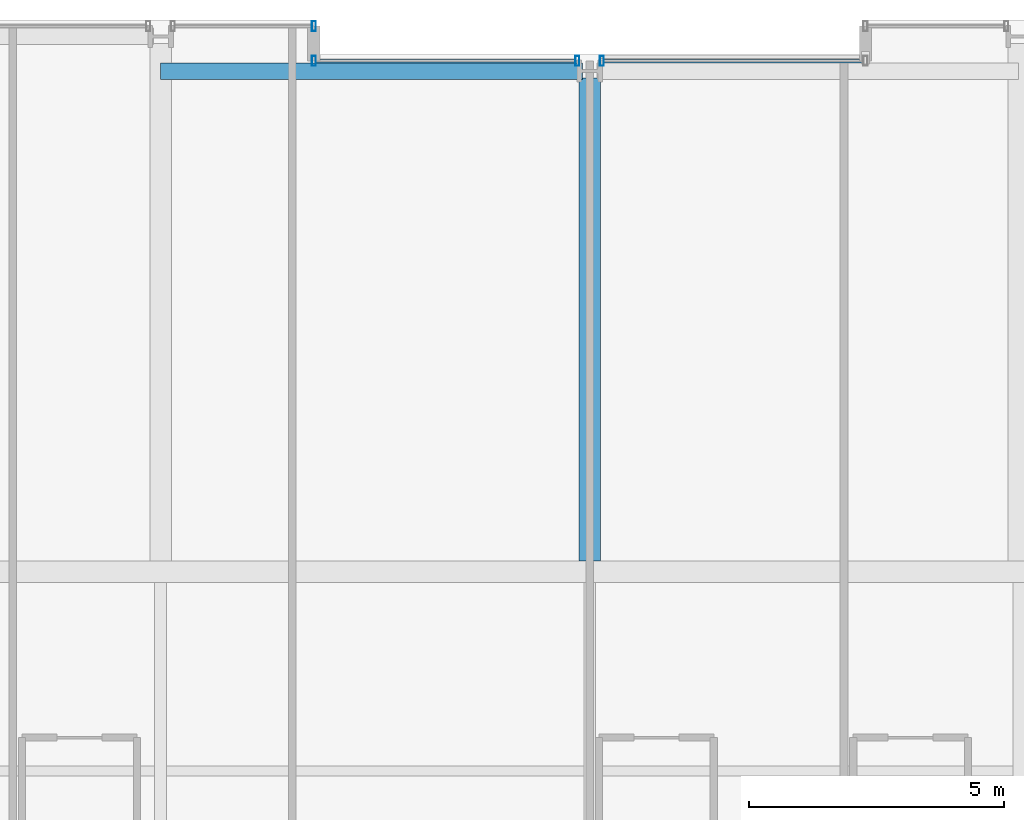
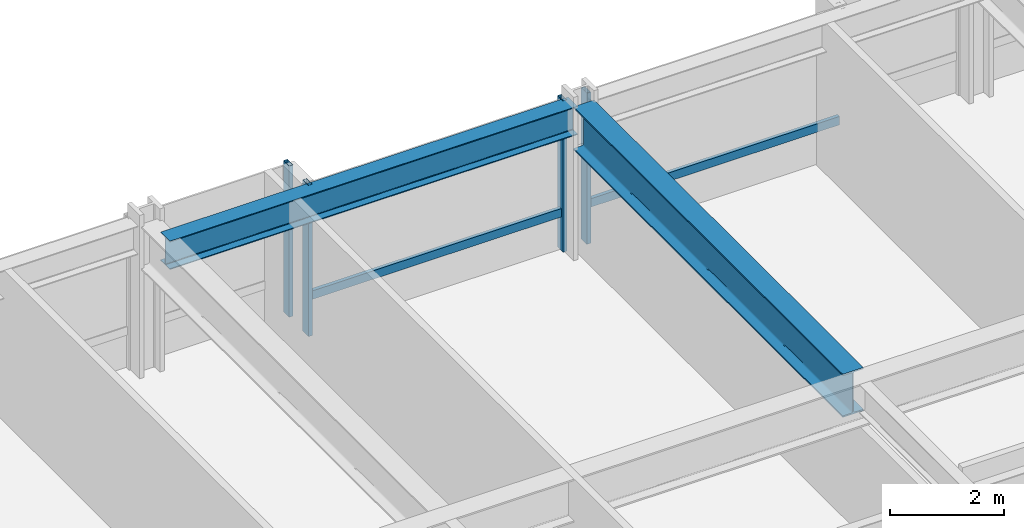
# One storey, part 23 of 39: 6 members, 2 beams, 3 elements without a shape of their own.
"""IFC4 building model written with IfcOpenShell, lengths in metres."""

from ifc_helpers import new_model, si_unit, direction, frame, origin, origin_2d, place, context, subcontext, project, spatial, hollow_rectangle, i_section, extrude, material, layer, layer_set, material_profile, profile_set, type_object, element, aggregate, save


model = new_model("IFC4")

# Units and contexts
model_context = context("Model", 3, precision=1e-05, world=origin(), true_north=direction((0.0, 1.0)))
body_context = subcontext(model_context, "Body", "Model", "MODEL_VIEW")
ifc_project = project(units=[si_unit("LENGTHUNIT", "METRE"), si_unit("AREAUNIT", "SQUARE_METRE"), si_unit("VOLUMEUNIT", "CUBIC_METRE"), si_unit("PLANEANGLEUNIT", "RADIAN"), si_unit("MASSUNIT", "GRAM", prefix="KILO")], contexts=[model_context])

# Site, building, storey
site_placement = place(None, origin())
site = spatial("IfcSite", under=ifc_project, at=site_placement, CompositionType="ELEMENT")
building_placement = place(site_placement, origin())
building = spatial("IfcBuilding", under=site, at=building_placement, Name="Drelvath Grand Hotel", CompositionType="ELEMENT")
storey_placement = place(building_placement, frame((0.0, 0.0, 36.699951171875)))
storey = spatial("IfcBuildingStorey", under=building, at=storey_placement, Name="L07", CompositionType="ELEMENT", Elevation=36.699951171875)

# Curtain wall, member
ifc_material_1 = material(Name="Warm Bronze Anodised Aluminium Frame", Category="aluminium")
ifc_layer = layer(ifc_material_1, 0.199951171875)
ifc_layer_set = layer_set([ifc_layer], Name="Warm Bronze Anodised Aluminium Frame")
curtain_wall_type = type_object("IfcCurtainWallType", Name="Stick Curtain Wall CW-02 Warm Bronze Low-Rise", PredefinedType="NOTDEFINED", material=ifc_layer_set)
curtain_wall_1_placement = place(storey_placement, origin())
curtain_wall_1 = element("IfcCurtainWall", 1, at=curtain_wall_1_placement, inside=storey, type_object=curtain_wall_type, Name="L07 CW-02 Curtain Wall CW02-L07-NM1", PredefinedType="NOTDEFINED")
ifc_material_profile_1 = material_profile(ifc_material_1, hollow_rectangle(XDim=0.074951171875, YDim=0.179931640625, WallThickness=0.0048828125, at=origin_2d()), Name="HSS180X75X5")
ifc_profile_set_1 = profile_set([ifc_material_profile_1], Name="Warm Bronze Anodised Aluminium Frame")
member_type_1 = type_object("IfcMemberType", Name="Curtain Wall Horizontal Transom CW-02 HSS180X75X5", PredefinedType="USERDEFINED", material=ifc_profile_set_1)
member_1_placement = place(storey_placement, frame((-5.360107421875, 53.199951171875, 0.81005859375), z_axis=(1.0, 0.0, 0.0), x_axis=(0.0, 1.0, 0.0)))
member_1 = element("IfcMember", 2, at=member_1_placement, type_object=member_type_1, Name="CW02-L07-NM1 Sill Transom", ObjectType="TRANSOM", PredefinedType="USERDEFINED", context=body_context, shape_type="SweptSolid", body=[
    extrude(hollow_rectangle(XDim=0.074951171875, YDim=0.179931640625, WallThickness=0.0048828125, at=origin_2d()), origin(), (0.0, 0.0, 1.0), 5.0791015625),
])

curtain_wall_2_placement = place(storey_placement, origin())
curtain_wall_2 = element("IfcCurtainWall", 3, at=curtain_wall_2_placement, inside=storey, type_object=curtain_wall_type, Name="L07 CW-02 Curtain Wall CW02-L07-NM2", PredefinedType="NOTDEFINED")
member_2_placement = place(storey_placement, frame((0.281005859375, 53.199951171875, 0.81005859375), z_axis=(1.0, 0.0, 0.0), x_axis=(0.0, 1.0, 0.0)))
member_2 = element("IfcMember", 4, at=member_2_placement, type_object=member_type_1, Name="CW02-L07-NM2 Sill Transom", ObjectType="TRANSOM", PredefinedType="USERDEFINED", context=body_context, shape_type="SweptSolid", body=[
    extrude(hollow_rectangle(XDim=0.074951171875, YDim=0.179931640625, WallThickness=0.0048828125, at=origin_2d()), origin(), (0.0, 0.0, 1.0), 5.0791015625),
])

curtain_wall_3_placement = place(storey_placement, origin())
curtain_wall_3 = element("IfcCurtainWall", 5, at=curtain_wall_3_placement, inside=storey, type_object=curtain_wall_type, Name="L07 CW-02 Curtain Wall CW02-L07-NW3", PredefinedType="NOTDEFINED")
ifc_material_profile_2 = material_profile(ifc_material_1, hollow_rectangle(XDim=0.080078125, YDim=0.199951171875, WallThickness=0.0048828125, at=origin_2d()), Name="HSS200X80X5")
ifc_profile_set_2 = profile_set([ifc_material_profile_2], Name="Warm Bronze Anodised Aluminium Frame")
member_type_2 = type_object("IfcMemberType", Name="Curtain Wall Vertical Mullion CW-02 HSS200X80X5", PredefinedType="MULLION", material=ifc_profile_set_2)
member_3_placement = place(storey_placement, frame((-5.39990234375, 53.8798828125, 0.0), z_axis=(0.0, 0.0, 1.0), x_axis=(1.0, 0.0, 0.0)))
member_3 = element("IfcMember", 6, at=member_3_placement, type_object=member_type_2, Name="CW02-L07-NW3 Mullion 2", PredefinedType="MULLION", context=body_context, shape_type="SweptSolid", body=[
    extrude(hollow_rectangle(XDim=0.080078125, YDim=0.199951171875, WallThickness=0.0048828125, at=origin_2d()), origin(), (0.0, 0.0, 1.0), 3.239990234375),
])
aggregate(curtain_wall_3, [member_3])

# Member
member_4_placement = place(storey_placement, frame((-5.39990234375, 53.199951171875, 0.0), z_axis=(0.0, 0.0, 1.0), x_axis=(1.0, 0.0, 0.0)))
member_4 = element("IfcMember", 7, at=member_4_placement, type_object=member_type_2, Name="CW02-L07-NM1 Mullion 1", PredefinedType="MULLION", context=body_context, shape_type="SweptSolid", body=[
    extrude(hollow_rectangle(XDim=0.080078125, YDim=0.199951171875, WallThickness=0.0048828125, at=origin_2d()), origin(), (0.0, 0.0, 1.0), 3.239990234375),
])

member_5_placement = place(storey_placement, frame((-0.240966796875, 53.199951171875, 0.0), z_axis=(0.0, 0.0, 1.0), x_axis=(1.0, 0.0, 0.0)))
member_5 = element("IfcMember", 8, at=member_5_placement, type_object=member_type_2, Name="CW02-L07-NM1 Mullion 2", PredefinedType="MULLION", context=body_context, shape_type="SweptSolid", body=[
    extrude(hollow_rectangle(XDim=0.080078125, YDim=0.199951171875, WallThickness=0.0048828125, at=origin_2d()), origin(), (0.0, 0.0, 1.0), 3.239990234375),
])

aggregate(curtain_wall_1, [member_4, member_5, member_1])

member_6_placement = place(storey_placement, frame((0.240966796875, 53.199951171875, 0.0), z_axis=(0.0, 0.0, 1.0), x_axis=(1.0, 0.0, 0.0)))
member_6 = element("IfcMember", 9, at=member_6_placement, type_object=member_type_2, Name="CW02-L07-NM2 Mullion 1", PredefinedType="MULLION", context=body_context, shape_type="SweptSolid", body=[
    extrude(hollow_rectangle(XDim=0.080078125, YDim=0.199951171875, WallThickness=0.0048828125, at=origin_2d()), origin(), (0.0, 0.0, 1.0), 3.239990234375),
])

aggregate(curtain_wall_2, [member_6, member_2])

# Beams
ifc_material_2 = material(Name="Steel ASTM A992 Gr 50", Category="steel")
ifc_material_profile_3 = material_profile(ifc_material_2, i_section(OverallWidth=0.323974609375, OverallDepth=0.611083984375, WebThickness=0.0126953125, FlangeThickness=0.01904296875, FilletRadius=0.02197265625, at=origin_2d()), Name="W24X104")
ifc_profile_set_3 = profile_set([ifc_material_profile_3], Name="Steel ASTM A992 Gr 50")
beam_type_1 = type_object("IfcBeamType", Name="Perimeter Spandrel Beam W24X104", PredefinedType="SPANDREL", material=ifc_profile_set_3)
beam_1_placement = place(storey_placement, frame((-8.39990234375, 53.0, 2.9345703125), z_axis=(1.0, 0.0, 0.0), x_axis=(0.0, 1.0, 0.0)))
element("IfcBeam", 10, at=beam_1_placement, inside=storey, type_object=beam_type_1, Name="L07 Spandrel North Mid W", PredefinedType="SPANDREL", context=body_context, shape_type="SweptSolid", body=[
    extrude(i_section(OverallWidth=0.323974609375, OverallDepth=0.611083984375, WebThickness=0.0126953125, FlangeThickness=0.01904296875, FilletRadius=0.02197265625, at=origin_2d()), origin(), (0.0, 0.0, 1.0), 8.260009765625),
])
ifc_material_profile_4 = material_profile(ifc_material_2, i_section(OverallWidth=0.418212890625, OverallDepth=0.926513671875, WebThickness=0.019287109375, FlangeThickness=0.031982421875, FilletRadius=0.028076171875, at=origin_2d()), Name="W36X231")
ifc_profile_set_4 = profile_set([ifc_material_profile_4], Name="Steel ASTM A992 Gr 50")
beam_type_2 = type_object("IfcBeamType", Name="Primary Floor Girder W36X231", PredefinedType="BEAM", material=ifc_profile_set_4)
beam_2_placement = place(storey_placement, frame((0.0, 43.4091796875, 2.77685546875), z_axis=(0.0, 1.0, 0.0), x_axis=(-1.0, 0.0, 0.0)))
element("IfcBeam", 11, at=beam_2_placement, inside=storey, type_object=beam_type_2, Name="L07 North Wing Girder 5", PredefinedType="BEAM", context=body_context, shape_type="SweptSolid", body=[
    extrude(i_section(OverallWidth=0.418212890625, OverallDepth=0.926513671875, WebThickness=0.019287109375, FlangeThickness=0.031982421875, FilletRadius=0.028076171875, at=origin_2d()), origin(), (0.0, 0.0, 1.0), 9.450927734375),
])

save(model, "model.ifc")
